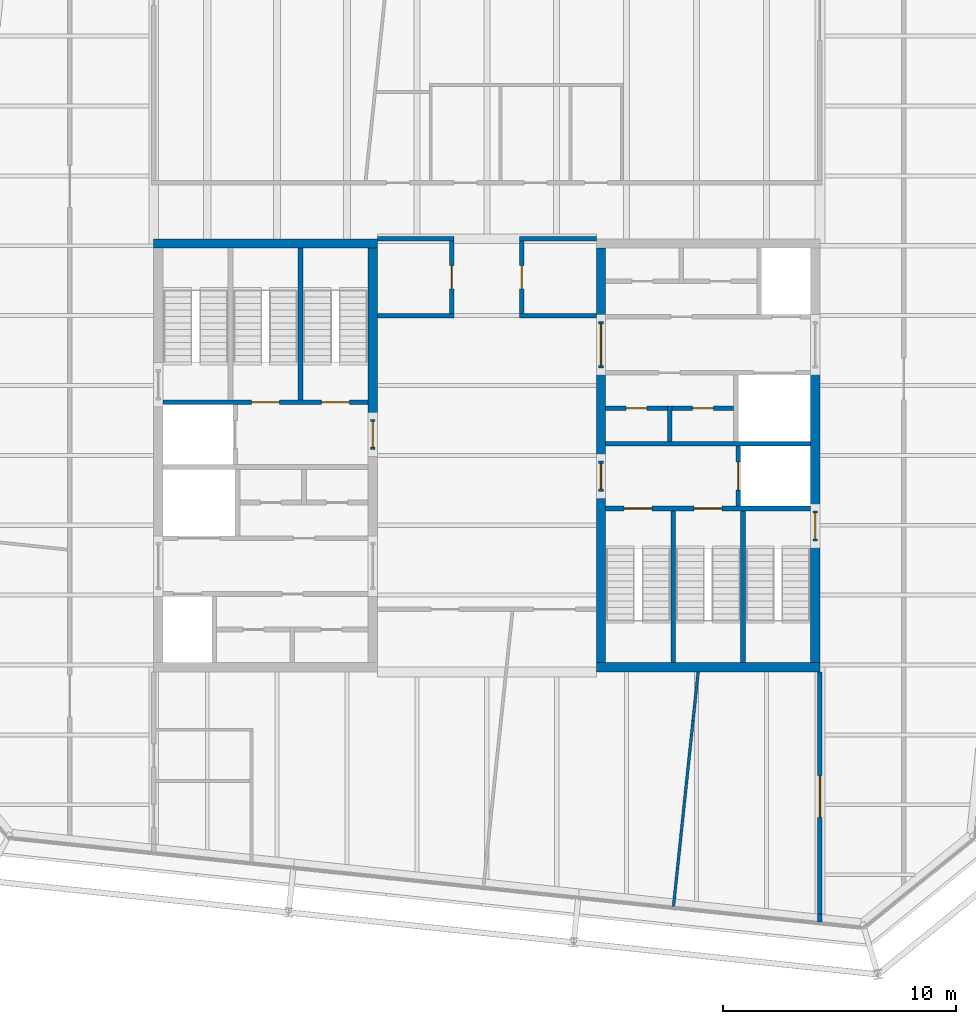
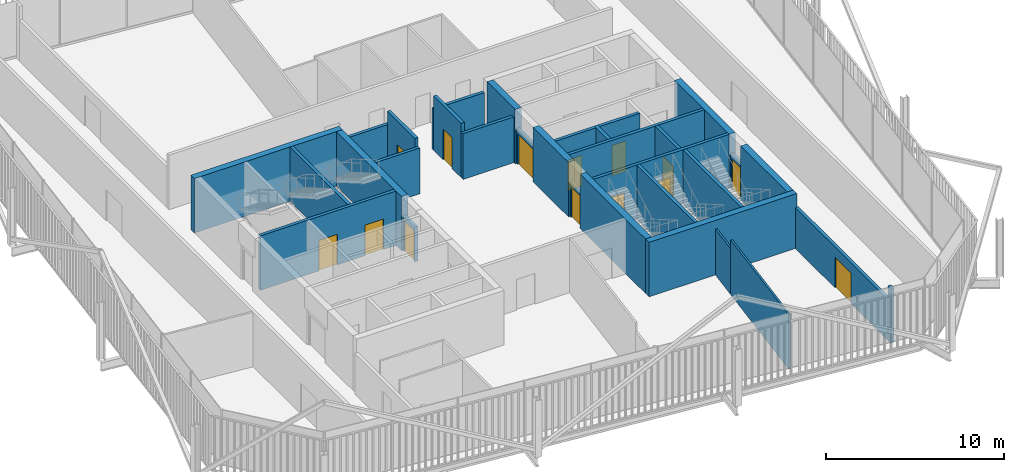
# One storey, part 18 of 21: 31 walls, 14 doors, 14 openings.
"""IFC4 building model written with IfcOpenShell, lengths in metres."""

from ifc_helpers import new_model, si_unit, direction, frame, frame_2d, origin, place, context, subcontext, project, spatial, rectangle, extrude, material, layer, layer_set, type_object, element, fill, save


model = new_model("IFC4")

# Units and contexts
model_context = context("Model", 3, precision=1e-05, world=origin(), true_north=direction((0.0, 1.0)))
body_context = subcontext(model_context, "Body", "Model", "MODEL_VIEW")
ifc_project = project(units=[si_unit("LENGTHUNIT", "METRE"), si_unit("AREAUNIT", "SQUARE_METRE"), si_unit("VOLUMEUNIT", "CUBIC_METRE"), si_unit("PLANEANGLEUNIT", "RADIAN"), si_unit("MASSUNIT", "GRAM", prefix="KILO")], contexts=[model_context])

# Site, building, storey
site_placement = place(None, origin())
site = spatial("IfcSite", under=ifc_project, at=site_placement, CompositionType="ELEMENT")
building_placement = place(site_placement, origin())
building = spatial("IfcBuilding", under=site, at=building_placement, Name="Millrace Tower", CompositionType="ELEMENT")
storey_placement = place(building_placement, frame((0.0, 0.0, 326.5)))
storey = spatial("IfcBuildingStorey", under=building, at=storey_placement, Name="L75", CompositionType="ELEMENT", Elevation=326.5)

# Walls
ifc_material_1 = material(Name="Concrete C60", Category="concrete")
ifc_layer_1 = layer(ifc_material_1, 0.39990234375)
ifc_layer_set_1 = layer_set([ifc_layer_1], Name="Concrete C60")
wall_type_1 = type_object("IfcWallType", Name="Core wall 400 Concrete C60", PredefinedType="SHEAR", material=ifc_layer_set_1)
wall_1_placement = place(storey_placement, frame((-14.300048828125, 9.10009765625, 0.0), z_axis=(0.0, 0.0, 1.0), x_axis=(1.0, 0.0, 0.0)))
element("IfcWall", 1, at=wall_1_placement, inside=storey, type_object=wall_type_1, Name="Core wall W L75", PredefinedType="SHEAR", context=body_context, shape_type="SweptSolid", body=[
    extrude(rectangle(XDim=9.60009765625, YDim=0.39990234375, at=frame_2d((4.800048828125, 0.0))), origin(), (0.0, 0.0, 1.0), 3.739990234375),
])
wall_2_placement = place(storey_placement, frame((-4.89990234375, 1.550048828125, 0.0), z_axis=(0.0, 0.0, 1.0), x_axis=(0.0, 1.0, 0.0)))
element("IfcWall", 2, at=wall_2_placement, inside=storey, type_object=wall_type_1, Name="Core wall W L75", PredefinedType="SHEAR", context=body_context, shape_type="SweptSolid", body=[
    extrude(rectangle(XDim=7.349853515625, YDim=0.39990234375, at=frame_2d((3.6748046875, 0.0))), origin(), (0.0, 0.0, 1.0), 3.739990234375),
])
wall_3_placement = place(storey_placement, frame((14.300048828125, -9.10009765625, 0.0), z_axis=(0.0, 0.0, 1.0), x_axis=(-1.0, 0.0, 0.0)))
element("IfcWall", 3, at=wall_3_placement, inside=storey, type_object=wall_type_1, Name="Core wall E L75", PredefinedType="SHEAR", context=body_context, shape_type="SweptSolid", body=[
    extrude(rectangle(XDim=9.60009765625, YDim=0.39990234375, at=frame_2d((4.800048828125, 0.0))), origin(), (0.0, 0.0, 1.0), 3.739990234375),
])
wall_4_placement = place(storey_placement, frame((14.10009765625, 3.75, 0.0), z_axis=(0.0, 0.0, 1.0), x_axis=(0.0, -1.0, 0.0)))
element("IfcWall", 4, at=wall_4_placement, inside=storey, type_object=wall_type_1, Name="Core wall E L75", PredefinedType="SHEAR", context=body_context, shape_type="SweptSolid", body=[
    extrude(rectangle(XDim=6.1298828125, YDim=0.39990234375, at=frame_2d((3.06494140625, 0.0))), origin(), (0.0, 0.0, 1.0), 3.739990234375),
])
wall_5_placement = place(storey_placement, frame((14.10009765625, -3.679931640625, 0.0), z_axis=(0.0, 0.0, 1.0), x_axis=(0.0, -1.0, 0.0)))
element("IfcWall", 5, at=wall_5_placement, inside=storey, type_object=wall_type_1, Name="Core wall E L75", PredefinedType="SHEAR", context=body_context, shape_type="SweptSolid", body=[
    extrude(rectangle(XDim=5.219970703125, YDim=0.39990234375, at=frame_2d((2.60986328125, 0.0))), origin(), (0.0, 0.0, 1.0), 3.739990234375),
])
wall_6_placement = place(storey_placement, frame((4.89990234375, 8.89990234375, 0.0), z_axis=(0.0, 0.0, 1.0), x_axis=(0.0, -1.0, 0.0)))
element("IfcWall", 6, at=wall_6_placement, inside=storey, type_object=wall_type_1, Name="Core wall E L75", PredefinedType="SHEAR", context=body_context, shape_type="SweptSolid", body=[
    extrude(rectangle(XDim=3.14990234375, YDim=0.39990234375, at=frame_2d((1.574951171875, 0.0))), origin(), (0.0, 0.0, 1.0), 3.739990234375),
])
wall_7_placement = place(storey_placement, frame((4.89990234375, 3.75, 0.0), z_axis=(0.0, 0.0, 1.0), x_axis=(0.0, -1.0, 0.0)))
element("IfcWall", 7, at=wall_7_placement, inside=storey, type_object=wall_type_1, Name="Core wall E L75", PredefinedType="SHEAR", context=body_context, shape_type="SweptSolid", body=[
    extrude(rectangle(XDim=4.0, YDim=0.39990234375, at=frame_2d((2.0, 0.0))), origin(), (0.0, 0.0, 1.0), 3.739990234375),
])
wall_8_placement = place(storey_placement, frame((4.89990234375, -1.550048828125, 0.0), z_axis=(0.0, 0.0, 1.0), x_axis=(0.0, -1.0, 0.0)))
element("IfcWall", 8, at=wall_8_placement, inside=storey, type_object=wall_type_1, Name="Core wall E L75", PredefinedType="SHEAR", context=body_context, shape_type="SweptSolid", body=[
    extrude(rectangle(XDim=7.349853515625, YDim=0.39990234375, at=frame_2d((3.6748046875, 0.0))), origin(), (0.0, 0.0, 1.0), 3.739990234375),
])
ifc_material_2 = material(Name="Masonry partition, fire-rated", Category="masonry")
ifc_layer_2 = layer(ifc_material_2, 0.199951171875)
ifc_layer_set_2 = layer_set([ifc_layer_2], Name="Masonry partition, fire-rated")
wall_type_2 = type_object("IfcWallType", Name="Corridor wall 200", PredefinedType="PARTITIONING", material=ifc_layer_set_2)
for number, where, z_axis, x_axis, name in (
    (9, (-4.699951171875, 6.0, 0.0), (0.0, 0.0, 1.0), (1.0, 0.0, 0.0), "Corridor wall L75"),
    (10, (1.39990234375, 6.0, 0.0), (0.0, 0.0, 1.0), (1.0, 0.0, 0.0), "Corridor wall L75"),
):
    element("IfcWall", number, at=place(storey_placement, frame(where, z_axis=z_axis, x_axis=x_axis)), inside=storey, type_object=wall_type_2, Name=name, PredefinedType="PARTITIONING", context=body_context, shape_type="SweptSolid", body=[
        extrude(rectangle(XDim=3.300048828125, YDim=0.199951171875, at=frame_2d((1.64990234375, 0.0))), origin(), (0.0, 0.0, 1.0), 3.140625),
    ])
for number, where, z_axis, x_axis, name in (
    (11, (-4.699951171875, 9.300048828125, 0.0), (0.0, 0.0, 1.0), (1.0, 0.0, 0.0), "Corridor wall L75"),
    (12, (1.39990234375, 9.300048828125, 0.0), (0.0, 0.0, 1.0), (1.0, 0.0, 0.0), "Corridor wall L75"),
):
    element("IfcWall", number, at=place(storey_placement, frame(where, z_axis=z_axis, x_axis=x_axis)), inside=storey, type_object=wall_type_2, Name=name, PredefinedType="PARTITIONING", context=body_context, shape_type="SweptSolid", body=[
        extrude(rectangle(XDim=3.300048828125, YDim=0.199951171875, at=frame_2d((1.64990234375, 0.0))), origin(), (0.0, 0.0, 1.0), 2.81298828125),
    ])
wall_9_placement = place(storey_placement, frame((14.300048828125, -20.037353515625, 0.0), z_axis=(0.0, 0.0, 1.0), x_axis=(0.0, 1.0, 0.0)))
element("IfcWall", 13, at=wall_9_placement, inside=storey, type_object=wall_type_2, Name="Corridor wall L75", PredefinedType="PARTITIONING", context=body_context, shape_type="SweptSolid", body=[
    extrude(rectangle(XDim=0.339111328125, YDim=0.199951171875, at=frame_2d((0.16943359375, 0.0))), origin(), (0.0, 0.0, 1.0), 3.739990234375),
])

# Wall, opening, door
wall_10_placement = place(storey_placement, frame((14.300048828125, -19.6982421875, 0.0), z_axis=(0.0, 0.0, 1.0), x_axis=(0.0, 1.0, 0.0)))
wall_10 = element("IfcWall", 14, at=wall_10_placement, inside=storey, type_object=wall_type_2, Name="Corridor wall L75", PredefinedType="PARTITIONING", context=body_context, shape_type="SweptSolid", body=[
    extrude(rectangle(XDim=10.398193359375, YDim=0.199951171875, at=frame_2d((5.19921875, 0.0))), origin(), (0.0, 0.0, 1.0), 2.81298828125),
])
opening_1_placement = place(wall_10_placement, frame((4.15478515625, 0.0, 0.0)))
opening_1 = element("IfcOpeningElement", 15, at=opening_1_placement, cuts=wall_10, Name="Opening 75-P013", PredefinedType="OPENING", context=body_context, shape_type="SweptSolid", body=[
    extrude(rectangle(XDim=1.800048828125, YDim=2.10009765625, at=frame_2d((0.89990234375, 1.050048828125))), frame((0.0, 0.10986328125, 0.0), z_axis=(0.0, -1.0, 0.0), x_axis=(1.0, 0.0, 0.0)), (0.0, 0.0, 1.0), 0.219970703125),
])
ifc_material_3 = material(Name="Steel door set, fire-rated", Category="steel")
door_type_1 = type_object("IfcDoorType", Name="Corridor door 1800 x 2100", OperationType="DOUBLE_DOOR_SINGLE_SWING", PredefinedType="DOOR", material=ifc_material_3)
door_1_placement = place(opening_1_placement, origin())
door_1 = element("IfcDoor", 16, at=door_1_placement, inside=storey, type_object=door_type_1, Name="Door 75-P013", OperationType="DOUBLE_DOOR_SINGLE_SWING", OverallHeight=2.10009765625, OverallWidth=1.800048828125, PredefinedType="DOOR", context=body_context, shape_type="SweptSolid", body=[
    extrude(rectangle(XDim=1.800048828125, YDim=2.10009765625, at=frame_2d((0.89990234375, 1.050048828125))), frame((0.0, 0.02490234375, 0.0), z_axis=(0.0, -1.0, 0.0), x_axis=(1.0, 0.0, 0.0)), (0.0, 0.0, 1.0), 0.050048828125),
])
fill(opening_1, door_1)

wall_11_placement = place(storey_placement, frame((1.5, 6.10009765625, 0.0), z_axis=(0.0, 0.0, 1.0), x_axis=(0.0, 1.0, 0.0)))
wall_11 = element("IfcWall", 17, at=wall_11_placement, inside=storey, type_object=wall_type_2, Name="Corridor wall L75", PredefinedType="PARTITIONING", context=body_context, shape_type="SweptSolid", body=[
    extrude(rectangle(XDim=3.099853515625, YDim=0.199951171875, at=frame_2d((1.5498046875, 0.0))), origin(), (0.0, 0.0, 1.0), 3.739990234375),
])
opening_2_placement = place(wall_11_placement, frame((1.050048828125, 0.0, 0.0)))
opening_2 = element("IfcOpeningElement", 18, at=opening_2_placement, cuts=wall_11, Name="Opening 75-P002", PredefinedType="OPENING", context=body_context, shape_type="SweptSolid", body=[
    extrude(rectangle(XDim=1.0, YDim=2.10009765625, at=frame_2d((0.5, 1.050048828125))), frame((0.0, 0.10986328125, 0.0), z_axis=(0.0, -1.0, 0.0), x_axis=(1.0, 0.0, 0.0)), (0.0, 0.0, 1.0), 0.219970703125),
])
ifc_material_4 = material(Name="Steel door set, fire-rated", Category="steel")
door_type_2 = type_object("IfcDoorType", Name="Corridor door 1000 x 2100", OperationType="SINGLE_SWING_LEFT", PredefinedType="DOOR", material=ifc_material_4)
door_2_placement = place(opening_2_placement, frame((1.0, 0.0, 0.0), z_axis=(0.0, 0.0, 1.0), x_axis=(-1.0, 0.0, 0.0)))
door_2 = element("IfcDoor", 19, at=door_2_placement, inside=storey, type_object=door_type_2, Name="Door 75-P002", OperationType="SINGLE_SWING_RIGHT", OverallHeight=2.10009765625, OverallWidth=1.0, PredefinedType="DOOR", context=body_context, shape_type="SweptSolid", body=[
    extrude(rectangle(XDim=1.0, YDim=2.10009765625, at=frame_2d((0.5, 1.050048828125))), frame((0.0, 0.02490234375, 0.0), z_axis=(0.0, -1.0, 0.0), x_axis=(1.0, 0.0, 0.0)), (0.0, 0.0, 1.0), 0.050048828125),
])
fill(opening_2, door_2)

wall_12_placement = place(storey_placement, frame((-1.5, 6.10009765625, 0.0), z_axis=(0.0, 0.0, 1.0), x_axis=(0.0, 1.0, 0.0)))
wall_12 = element("IfcWall", 20, at=wall_12_placement, inside=storey, type_object=wall_type_2, Name="Corridor wall L75", PredefinedType="PARTITIONING", context=body_context, shape_type="SweptSolid", body=[
    extrude(rectangle(XDim=3.099853515625, YDim=0.199951171875, at=frame_2d((1.5498046875, 0.0))), origin(), (0.0, 0.0, 1.0), 3.739990234375),
])
opening_3_placement = place(wall_12_placement, frame((1.050048828125, 0.0, 0.0)))
opening_3 = element("IfcOpeningElement", 21, at=opening_3_placement, cuts=wall_12, Name="Opening 75-P001", PredefinedType="OPENING", context=body_context, shape_type="SweptSolid", body=[
    extrude(rectangle(XDim=1.0, YDim=2.10009765625, at=frame_2d((0.5, 1.050048828125))), frame((0.0, 0.10986328125, 0.0), z_axis=(0.0, -1.0, 0.0), x_axis=(1.0, 0.0, 0.0)), (0.0, 0.0, 1.0), 0.219970703125),
])
door_3_placement = place(opening_3_placement, origin())
door_3 = element("IfcDoor", 22, at=door_3_placement, inside=storey, type_object=door_type_2, Name="Door 75-P001", OperationType="SINGLE_SWING_LEFT", OverallHeight=2.10009765625, OverallWidth=1.0, PredefinedType="DOOR", context=body_context, shape_type="SweptSolid", body=[
    extrude(rectangle(XDim=1.0, YDim=2.10009765625, at=frame_2d((0.5, 1.050048828125))), frame((0.0, 0.02490234375, 0.0), z_axis=(0.0, -1.0, 0.0), x_axis=(1.0, 0.0, 0.0)), (0.0, 0.0, 1.0), 0.050048828125),
])
fill(opening_3, door_3)

# Wall
ifc_material_5 = material(Name="Masonry partition, fire-rated", Category="masonry")
ifc_layer_3 = layer(ifc_material_5, 0.199951171875)
ifc_layer_set_3 = layer_set([ifc_layer_3], Name="Masonry partition, fire-rated")
wall_type_3 = type_object("IfcWallType", Name="Lift shaft wall 200", PredefinedType="PARTITIONING", material=ifc_layer_set_3)
wall_13_placement = place(storey_placement, frame((13.89990234375, 0.5, 0.0), z_axis=(0.0, 0.0, 1.0), x_axis=(-1.0, 0.0, 0.0)))
element("IfcWall", 23, at=wall_13_placement, inside=storey, type_object=wall_type_3, Name="Lift shaft wall E L75", PredefinedType="PARTITIONING", context=body_context, shape_type="SweptSolid", body=[
    extrude(rectangle(XDim=8.7998046875, YDim=0.199951171875, at=frame_2d((4.39990234375, 0.0))), origin(), (0.0, 0.0, 1.0), 3.739990234375),
])

# Wall, opening, door
wall_14_placement = place(storey_placement, frame((10.800048828125, 0.39990234375, 0.0), z_axis=(0.0, 0.0, 1.0), x_axis=(0.0, -1.0, 0.0)))
wall_14 = element("IfcWall", 24, at=wall_14_placement, inside=storey, type_object=wall_type_3, Name="Lift shaft wall E L75", PredefinedType="PARTITIONING", context=body_context, shape_type="SweptSolid", body=[
    extrude(rectangle(XDim=2.579833984375, YDim=0.199951171875, at=frame_2d((1.2900390625, 0.0))), origin(), (0.0, 0.0, 1.0), 3.739990234375),
])
opening_4_placement = place(wall_14_placement, frame((0.68994140625, 0.0, 0.0)))
opening_4 = element("IfcOpeningElement", 25, at=opening_4_placement, cuts=wall_14, Name="Opening 75-LD16", PredefinedType="OPENING", context=body_context, shape_type="SweptSolid", body=[
    extrude(rectangle(XDim=1.199951171875, YDim=2.10009765625, at=frame_2d((0.60009765625, 1.050048828125))), frame((0.0, 0.10986328125, 0.0), z_axis=(0.0, -1.0, 0.0), x_axis=(1.0, 0.0, 0.0)), (0.0, 0.0, 1.0), 0.219970703125),
])
ifc_material_6 = material(Name="Stainless steel, fire-rated", Category="steel")
door_type_3 = type_object("IfcDoorType", Name="Lift landing door 1200 x 2100", OperationType="DOUBLE_DOOR_SLIDING", PredefinedType="DOOR", material=ifc_material_6)
door_4_placement = place(opening_4_placement, origin())
door_4 = element("IfcDoor", 26, at=door_4_placement, inside=storey, type_object=door_type_3, Name="Lift landing door LF16 L75", OperationType="DOUBLE_DOOR_SLIDING", OverallHeight=2.10009765625, OverallWidth=1.199951171875, PredefinedType="DOOR", context=body_context, shape_type="SweptSolid", body=[
    extrude(rectangle(XDim=1.199951171875, YDim=2.10009765625, at=frame_2d((0.60009765625, 1.050048828125))), frame((0.0, 0.02490234375, 0.0), z_axis=(0.0, -1.0, 0.0), x_axis=(1.0, 0.0, 0.0)), (0.0, 0.0, 1.0), 0.050048828125),
])
fill(opening_4, door_4)

ifc_material_7 = material(Name="Masonry partition, fire-rated", Category="masonry")
ifc_layer_4 = layer(ifc_material_7, 0.199951171875)
ifc_layer_set_4 = layer_set([ifc_layer_4], Name="Masonry partition, fire-rated")
wall_type_4 = type_object("IfcWallType", Name="Lobby wall 200", PredefinedType="PARTITIONING", material=ifc_layer_set_4)
wall_15_placement = place(storey_placement, frame((-4.89990234375, 0.25, 0.0), z_axis=(0.0, 0.0, 1.0), x_axis=(0.0, 1.0, 0.0)))
wall_15 = element("IfcWall", 27, at=wall_15_placement, inside=storey, type_object=wall_type_4, Name="Lobby wall W L75", PredefinedType="PARTITIONING", context=body_context, shape_type="SweptSolid", body=[
    extrude(rectangle(XDim=1.300048828125, YDim=0.199951171875, at=frame_2d((0.64990234375, 0.0))), origin(), (0.0, 0.0, 1.0), 2.39990234375),
])
opening_5_placement = place(wall_15_placement, frame((0.10009765625, 0.0, 0.0)))
opening_5 = element("IfcOpeningElement", 28, at=opening_5_placement, cuts=wall_15, Name="Opening 75-C004", PredefinedType="OPENING", context=body_context, shape_type="SweptSolid", body=[
    extrude(rectangle(XDim=1.10009765625, YDim=2.10009765625, at=frame_2d((0.550048828125, 1.050048828125))), frame((0.0, 0.10986328125, 0.0), z_axis=(0.0, -1.0, 0.0), x_axis=(1.0, 0.0, 0.0)), (0.0, 0.0, 1.0), 0.219970703125),
])
ifc_material_8 = material(Name="Steel door, fire-rated", Category="steel")
door_type_4 = type_object("IfcDoorType", Name="Lobby door 1100 x 2100", OperationType="SINGLE_SWING_LEFT", PredefinedType="DOOR", material=ifc_material_8)
door_5_placement = place(opening_5_placement, frame((1.10009765625, 0.0, 0.0), z_axis=(0.0, 0.0, 1.0), x_axis=(-1.0, 0.0, 0.0)))
door_5 = element("IfcDoor", 29, at=door_5_placement, inside=storey, type_object=door_type_4, Name="Lobby door 75-C004", OperationType="SINGLE_SWING_LEFT", OverallHeight=2.10009765625, OverallWidth=1.10009765625, PredefinedType="DOOR", context=body_context, shape_type="SweptSolid", body=[
    extrude(rectangle(XDim=1.10009765625, YDim=2.10009765625, at=frame_2d((0.550048828125, 1.050048828125))), frame((0.0, 0.02490234375, 0.0), z_axis=(0.0, -1.0, 0.0), x_axis=(1.0, 0.0, 0.0)), (0.0, 0.0, 1.0), 0.050048828125),
])
fill(opening_5, door_5)

wall_16_placement = place(storey_placement, frame((4.89990234375, 5.75, 0.0), z_axis=(0.0, 0.0, 1.0), x_axis=(0.0, -1.0, 0.0)))
wall_16 = element("IfcWall", 30, at=wall_16_placement, inside=storey, type_object=wall_type_4, Name="Lobby wall E L75", PredefinedType="PARTITIONING", context=body_context, shape_type="SweptSolid", body=[
    extrude(rectangle(XDim=2.0, YDim=0.199951171875, at=frame_2d((1.0, 0.0))), origin(), (0.0, 0.0, 1.0), 2.39990234375),
])
opening_6_placement = place(wall_16_placement, frame((0.10009765625, 0.0, 0.0)))
opening_6 = element("IfcOpeningElement", 31, at=opening_6_placement, cuts=wall_16, Name="Opening 75-C015", PredefinedType="OPENING", context=body_context, shape_type="SweptSolid", body=[
    extrude(rectangle(XDim=1.800048828125, YDim=2.10009765625, at=frame_2d((0.89990234375, 1.050048828125))), frame((0.0, 0.10986328125, 0.0), z_axis=(0.0, -1.0, 0.0), x_axis=(1.0, 0.0, 0.0)), (0.0, 0.0, 1.0), 0.219970703125),
])
ifc_material_9 = material(Name="Steel door, fire-rated", Category="steel")
door_type_5 = type_object("IfcDoorType", Name="Lobby door 1800 x 2100", OperationType="DOUBLE_DOOR_SINGLE_SWING", PredefinedType="DOOR", material=ifc_material_9)
door_6_placement = place(opening_6_placement, frame((1.800048828125, 0.0, 0.0), z_axis=(0.0, 0.0, 1.0), x_axis=(-1.0, 0.0, 0.0)))
door_6 = element("IfcDoor", 32, at=door_6_placement, inside=storey, type_object=door_type_5, Name="Lobby door 75-C015", OperationType="DOUBLE_DOOR_SINGLE_SWING", OverallHeight=2.10009765625, OverallWidth=1.800048828125, PredefinedType="DOOR", context=body_context, shape_type="SweptSolid", body=[
    extrude(rectangle(XDim=1.800048828125, YDim=2.10009765625, at=frame_2d((0.89990234375, 1.050048828125))), frame((0.0, 0.02490234375, 0.0), z_axis=(0.0, -1.0, 0.0), x_axis=(1.0, 0.0, 0.0)), (0.0, 0.0, 1.0), 0.050048828125),
])
fill(opening_6, door_6)

wall_17_placement = place(storey_placement, frame((4.89990234375, -0.25, 0.0), z_axis=(0.0, 0.0, 1.0), x_axis=(0.0, -1.0, 0.0)))
wall_17 = element("IfcWall", 33, at=wall_17_placement, inside=storey, type_object=wall_type_4, Name="Lobby wall E L75", PredefinedType="PARTITIONING", context=body_context, shape_type="SweptSolid", body=[
    extrude(rectangle(XDim=1.300048828125, YDim=0.199951171875, at=frame_2d((0.64990234375, 0.0))), origin(), (0.0, 0.0, 1.0), 2.39990234375),
])
opening_7_placement = place(wall_17_placement, frame((0.10009765625, 0.0, 0.0)))
opening_7 = element("IfcOpeningElement", 34, at=opening_7_placement, cuts=wall_17, Name="Opening 75-C016", PredefinedType="OPENING", context=body_context, shape_type="SweptSolid", body=[
    extrude(rectangle(XDim=1.10009765625, YDim=2.10009765625, at=frame_2d((0.550048828125, 1.050048828125))), frame((0.0, 0.10986328125, 0.0), z_axis=(0.0, -1.0, 0.0), x_axis=(1.0, 0.0, 0.0)), (0.0, 0.0, 1.0), 0.219970703125),
])
door_7_placement = place(opening_7_placement, frame((1.10009765625, 0.0, 0.0), z_axis=(0.0, 0.0, 1.0), x_axis=(-1.0, 0.0, 0.0)))
door_7 = element("IfcDoor", 35, at=door_7_placement, inside=storey, type_object=door_type_4, Name="Lobby door 75-C016", OperationType="SINGLE_SWING_RIGHT", OverallHeight=2.10009765625, OverallWidth=1.10009765625, PredefinedType="DOOR", context=body_context, shape_type="SweptSolid", body=[
    extrude(rectangle(XDim=1.10009765625, YDim=2.10009765625, at=frame_2d((0.550048828125, 1.050048828125))), frame((0.0, 0.02490234375, 0.0), z_axis=(0.0, -1.0, 0.0), x_axis=(1.0, 0.0, 0.0)), (0.0, 0.0, 1.0), 0.050048828125),
])
fill(opening_7, door_7)

# Walls
ifc_material_10 = material(Name="Gypsum board partition")
ifc_layer_5 = layer(ifc_material_10, 0.1201171875)
ifc_layer_set_5 = layer_set([ifc_layer_5], Name="Gypsum board partition")
wall_type_5 = type_object("IfcWallType", Name="Partition wall 120", PredefinedType="PARTITIONING", material=ifc_layer_set_5)
wall_18_placement = place(storey_placement, frame((8.0126953125, -19.376708984375, 0.0), z_axis=(0.0, 0.0, 1.0), x_axis=(0.104553276341, 0.994519287096, 0.0)))
element("IfcWall", 36, at=wall_18_placement, inside=storey, type_object=wall_type_5, Name="Partition wall L75", PredefinedType="PARTITIONING", context=body_context, shape_type="SweptSolid", body=[
    extrude(rectangle(XDim=8.02099609375, YDim=0.1201171875, at=frame_2d((4.010498046875, 0.0))), origin(), (0.0, 0.0, 1.0), 3.739990234375),
])
wall_19_placement = place(storey_placement, frame((8.851318359375, -11.399658203125, 0.0), z_axis=(0.0, 0.0, 1.0), x_axis=(0.1045403102, 0.994520650134, 0.0)))
element("IfcWall", 37, at=wall_19_placement, inside=storey, type_object=wall_type_5, Name="Partition wall L75", PredefinedType="PARTITIONING", context=body_context, shape_type="SweptSolid", body=[
    extrude(rectangle(XDim=2.111083984375, YDim=0.1201171875, at=frame_2d((1.0556640625, 0.0))), origin(), (0.0, 0.0, 1.0), 3.140625),
])

# Wall, openings, doors
ifc_material_11 = material(Name="Masonry partition, fire-rated", Category="masonry")
ifc_layer_6 = layer(ifc_material_11, 0.199951171875)
ifc_layer_set_6 = layer_set([ifc_layer_6], Name="Masonry partition, fire-rated")
wall_type_6 = type_object("IfcWallType", Name="Room partition 200", PredefinedType="PARTITIONING", material=ifc_layer_set_6)
wall_20_placement = place(storey_placement, frame((10.60009765625, 2.02490234375, 0.0), z_axis=(0.0, 0.0, 1.0), x_axis=(-1.0, 0.0, 0.0)))
wall_20 = element("IfcWall", 38, at=wall_20_placement, inside=storey, type_object=wall_type_6, Name="Room partition E L75", PredefinedType="PARTITIONING", context=body_context, shape_type="SweptSolid", body=[
    extrude(rectangle(XDim=5.5, YDim=0.199951171875, at=frame_2d((2.75, 0.0))), origin(), (0.0, 0.0, 1.0), 3.739990234375),
])
opening_8_placement = place(wall_20_placement, frame((0.875, 0.0, 0.0)))
opening_8 = element("IfcOpeningElement", 39, at=opening_8_placement, cuts=wall_20, Name="Opening 75-C021", PredefinedType="OPENING", context=body_context, shape_type="SweptSolid", body=[
    extrude(rectangle(XDim=0.89990234375, YDim=2.10009765625, at=frame_2d((0.449951171875, 1.050048828125))), frame((0.0, 0.10986328125, 0.0), z_axis=(0.0, -1.0, 0.0), x_axis=(1.0, 0.0, 0.0)), (0.0, 0.0, 1.0), 0.219970703125),
])
opening_9_placement = place(wall_20_placement, frame((3.72509765625, 0.0, 0.0)))
opening_9 = element("IfcOpeningElement", 40, at=opening_9_placement, cuts=wall_20, Name="Opening 75-C022", PredefinedType="OPENING", context=body_context, shape_type="SweptSolid", body=[
    extrude(rectangle(XDim=0.89990234375, YDim=2.10009765625, at=frame_2d((0.449951171875, 1.050048828125))), frame((0.0, 0.10986328125, 0.0), z_axis=(0.0, -1.0, 0.0), x_axis=(1.0, 0.0, 0.0)), (0.0, 0.0, 1.0), 0.219970703125),
])
ifc_material_12 = material(Name="Steel door, fire-rated", Category="steel")
door_type_6 = type_object("IfcDoorType", Name="Service room door 900 x 2100", OperationType="SINGLE_SWING_LEFT", PredefinedType="DOOR", material=ifc_material_12)
door_8_placement = place(opening_8_placement, origin())
door_8 = element("IfcDoor", 41, at=door_8_placement, inside=storey, type_object=door_type_6, Name="Service room door 75-C021", OperationType="SINGLE_SWING_LEFT", OverallHeight=2.10009765625, OverallWidth=0.89990234375, PredefinedType="DOOR", context=body_context, shape_type="SweptSolid", body=[
    extrude(rectangle(XDim=0.89990234375, YDim=2.10009765625, at=frame_2d((0.449951171875, 1.050048828125))), frame((0.0, 0.02490234375, 0.0), z_axis=(0.0, -1.0, 0.0), x_axis=(1.0, 0.0, 0.0)), (0.0, 0.0, 1.0), 0.050048828125),
])
fill(opening_8, door_8)
door_9_placement = place(opening_9_placement, origin())
door_9 = element("IfcDoor", 42, at=door_9_placement, inside=storey, type_object=door_type_6, Name="Service room door 75-C022", OperationType="SINGLE_SWING_RIGHT", OverallHeight=2.10009765625, OverallWidth=0.89990234375, PredefinedType="DOOR", context=body_context, shape_type="SweptSolid", body=[
    extrude(rectangle(XDim=0.89990234375, YDim=2.10009765625, at=frame_2d((0.449951171875, 1.050048828125))), frame((0.0, 0.02490234375, 0.0), z_axis=(0.0, -1.0, 0.0), x_axis=(1.0, 0.0, 0.0)), (0.0, 0.0, 1.0), 0.050048828125),
])
fill(opening_9, door_9)

# Wall
wall_21_placement = place(storey_placement, frame((7.85009765625, 2.125, 0.0), z_axis=(0.0, 0.0, 1.0), x_axis=(0.0, -1.0, 0.0)))
element("IfcWall", 43, at=wall_21_placement, inside=storey, type_object=wall_type_6, Name="Room partition E L75", PredefinedType="PARTITIONING", context=body_context, shape_type="SweptSolid", body=[
    extrude(rectangle(XDim=1.52490234375, YDim=0.199951171875, at=frame_2d((0.762451171875, 0.0))), origin(), (0.0, 0.0, 1.0), 3.739990234375),
])

# Wall, openings, doors
ifc_material_13 = material(Name="Concrete C40", Category="concrete")
ifc_layer_7 = layer(ifc_material_13, 0.199951171875)
ifc_layer_set_7 = layer_set([ifc_layer_7], Name="Concrete C40")
wall_type_7 = type_object("IfcWallType", Name="Stair enclosure wall 200 Concrete C40", PredefinedType="SHEAR", material=ifc_layer_set_7)
wall_22_placement = place(storey_placement, frame((-13.89990234375, 2.280029296875, 0.0), z_axis=(0.0, 0.0, 1.0), x_axis=(1.0, 0.0, 0.0)))
wall_22 = element("IfcWall", 44, at=wall_22_placement, inside=storey, type_object=wall_type_7, Name="Stair enclosure wall W L75", PredefinedType="SHEAR", context=body_context, shape_type="SweptSolid", body=[
    extrude(rectangle(XDim=8.7998046875, YDim=0.199951171875, at=frame_2d((4.39990234375, 0.0))), origin(), (0.0, 0.0, 1.0), 3.739990234375),
])
opening_10_placement = place(wall_22_placement, frame((3.800048828125, 0.0, 0.0)))
opening_10 = element("IfcOpeningElement", 45, at=opening_10_placement, cuts=wall_22, Name="Opening 75-C011", PredefinedType="OPENING", context=body_context, shape_type="SweptSolid", body=[
    extrude(rectangle(XDim=1.199951171875, YDim=2.10009765625, at=frame_2d((0.60009765625, 1.050048828125))), frame((0.0, 0.10986328125, 0.0), z_axis=(0.0, -1.0, 0.0), x_axis=(1.0, 0.0, 0.0)), (0.0, 0.0, 1.0), 0.219970703125),
])
opening_11_placement = place(wall_22_placement, frame((6.800048828125, 0.0, 0.0)))
opening_11 = element("IfcOpeningElement", 46, at=opening_11_placement, cuts=wall_22, Name="Opening 75-C012", PredefinedType="OPENING", context=body_context, shape_type="SweptSolid", body=[
    extrude(rectangle(XDim=1.199951171875, YDim=2.10009765625, at=frame_2d((0.60009765625, 1.050048828125))), frame((0.0, 0.10986328125, 0.0), z_axis=(0.0, -1.0, 0.0), x_axis=(1.0, 0.0, 0.0)), (0.0, 0.0, 1.0), 0.219970703125),
])
ifc_material_14 = material(Name="Steel door, fire-rated", Category="steel")
door_type_7 = type_object("IfcDoorType", Name="Stair door 1200 x 2100", OperationType="SINGLE_SWING_LEFT", PredefinedType="DOOR", material=ifc_material_14)
door_10_placement = place(opening_10_placement, frame((1.199951171875, 0.0, 0.0), z_axis=(0.0, 0.0, 1.0), x_axis=(-1.0, 0.0, 0.0)))
door_10 = element("IfcDoor", 47, at=door_10_placement, inside=storey, type_object=door_type_7, Name="Stair door 75-C011", OperationType="SINGLE_SWING_RIGHT", OverallHeight=2.10009765625, OverallWidth=1.199951171875, PredefinedType="DOOR", context=body_context, shape_type="SweptSolid", body=[
    extrude(rectangle(XDim=1.199951171875, YDim=2.10009765625, at=frame_2d((0.60009765625, 1.050048828125))), frame((0.0, 0.02490234375, 0.0), z_axis=(0.0, -1.0, 0.0), x_axis=(1.0, 0.0, 0.0)), (0.0, 0.0, 1.0), 0.050048828125),
])
fill(opening_10, door_10)
door_11_placement = place(opening_11_placement, frame((1.199951171875, 0.0, 0.0), z_axis=(0.0, 0.0, 1.0), x_axis=(-1.0, 0.0, 0.0)))
door_11 = element("IfcDoor", 48, at=door_11_placement, inside=storey, type_object=door_type_7, Name="Stair door 75-C012", OperationType="SINGLE_SWING_LEFT", OverallHeight=2.10009765625, OverallWidth=1.199951171875, PredefinedType="DOOR", context=body_context, shape_type="SweptSolid", body=[
    extrude(rectangle(XDim=1.199951171875, YDim=2.10009765625, at=frame_2d((0.60009765625, 1.050048828125))), frame((0.0, 0.02490234375, 0.0), z_axis=(0.0, -1.0, 0.0), x_axis=(1.0, 0.0, 0.0)), (0.0, 0.0, 1.0), 0.050048828125),
])
fill(opening_11, door_11)

# Wall
wall_23_placement = place(storey_placement, frame((-8.0, 2.3798828125, 0.0), z_axis=(0.0, 0.0, 1.0), x_axis=(0.0, 1.0, 0.0)))
element("IfcWall", 49, at=wall_23_placement, inside=storey, type_object=wall_type_7, Name="Stair enclosure wall W L75", PredefinedType="SHEAR", context=body_context, shape_type="SweptSolid", body=[
    extrude(rectangle(XDim=6.52001953125, YDim=0.199951171875, at=frame_2d((3.260009765625, 0.0))), origin(), (0.0, 0.0, 1.0), 3.739990234375),
])

# Wall, opening, door
wall_24_placement = place(storey_placement, frame((14.10009765625, -2.3798828125, 0.0), z_axis=(0.0, 0.0, 1.0), x_axis=(0.0, -1.0, 0.0)))
wall_24 = element("IfcWall", 50, at=wall_24_placement, inside=storey, type_object=wall_type_7, Name="Stair enclosure wall E L75", PredefinedType="SHEAR", context=body_context, shape_type="SweptSolid", body=[
    extrude(rectangle(XDim=1.300048828125, YDim=0.199951171875, at=frame_2d((0.64990234375, 0.0))), origin(), (0.0, 0.0, 1.0), 2.39990234375),
])
opening_12_placement = place(wall_24_placement, frame((0.10009765625, 0.0, 0.0)))
opening_12 = element("IfcOpeningElement", 51, at=opening_12_placement, cuts=wall_24, Name="Opening 75-C014", PredefinedType="OPENING", context=body_context, shape_type="SweptSolid", body=[
    extrude(rectangle(XDim=1.10009765625, YDim=2.10009765625, at=frame_2d((0.550048828125, 1.050048828125))), frame((0.0, 0.10986328125, 0.0), z_axis=(0.0, -1.0, 0.0), x_axis=(1.0, 0.0, 0.0)), (0.0, 0.0, 1.0), 0.219970703125),
])
ifc_material_15 = material(Name="Steel door, fire-rated", Category="steel")
door_type_8 = type_object("IfcDoorType", Name="Stair door 1100 x 2100", OperationType="SINGLE_SWING_LEFT", PredefinedType="DOOR", material=ifc_material_15)
door_12_placement = place(opening_12_placement, origin())
door_12 = element("IfcDoor", 52, at=door_12_placement, inside=storey, type_object=door_type_8, Name="Stair door 75-C014", OperationType="SINGLE_SWING_LEFT", OverallHeight=2.10009765625, OverallWidth=1.10009765625, PredefinedType="DOOR", context=body_context, shape_type="SweptSolid", body=[
    extrude(rectangle(XDim=1.10009765625, YDim=2.10009765625, at=frame_2d((0.550048828125, 1.050048828125))), frame((0.0, 0.02490234375, 0.0), z_axis=(0.0, -1.0, 0.0), x_axis=(1.0, 0.0, 0.0)), (0.0, 0.0, 1.0), 0.050048828125),
])
fill(opening_12, door_12)

# Wall, openings, doors
wall_25_placement = place(storey_placement, frame((13.89990234375, -2.280029296875, 0.0), z_axis=(0.0, 0.0, 1.0), x_axis=(-1.0, 0.0, 0.0)))
wall_25 = element("IfcWall", 53, at=wall_25_placement, inside=storey, type_object=wall_type_7, Name="Stair enclosure wall E L75", PredefinedType="SHEAR", context=body_context, shape_type="SweptSolid", body=[
    extrude(rectangle(XDim=8.7998046875, YDim=0.199951171875, at=frame_2d((4.39990234375, 0.0))), origin(), (0.0, 0.0, 1.0), 3.739990234375),
])
opening_13_placement = place(wall_25_placement, frame((3.800048828125, 0.0, 0.0)))
opening_13 = element("IfcOpeningElement", 54, at=opening_13_placement, cuts=wall_25, Name="Opening 75-C023", PredefinedType="OPENING", context=body_context, shape_type="SweptSolid", body=[
    extrude(rectangle(XDim=1.199951171875, YDim=2.10009765625, at=frame_2d((0.60009765625, 1.050048828125))), frame((0.0, 0.10986328125, 0.0), z_axis=(0.0, -1.0, 0.0), x_axis=(1.0, 0.0, 0.0)), (0.0, 0.0, 1.0), 0.219970703125),
])
opening_14_placement = place(wall_25_placement, frame((6.800048828125, 0.0, 0.0)))
opening_14 = element("IfcOpeningElement", 55, at=opening_14_placement, cuts=wall_25, Name="Opening 75-C024", PredefinedType="OPENING", context=body_context, shape_type="SweptSolid", body=[
    extrude(rectangle(XDim=1.199951171875, YDim=2.10009765625, at=frame_2d((0.60009765625, 1.050048828125))), frame((0.0, 0.10986328125, 0.0), z_axis=(0.0, -1.0, 0.0), x_axis=(1.0, 0.0, 0.0)), (0.0, 0.0, 1.0), 0.219970703125),
])
door_13_placement = place(opening_13_placement, frame((1.199951171875, 0.0, 0.0), z_axis=(0.0, 0.0, 1.0), x_axis=(-1.0, 0.0, 0.0)))
door_13 = element("IfcDoor", 56, at=door_13_placement, inside=storey, type_object=door_type_7, Name="Stair door 75-C023", OperationType="SINGLE_SWING_RIGHT", OverallHeight=2.10009765625, OverallWidth=1.199951171875, PredefinedType="DOOR", context=body_context, shape_type="SweptSolid", body=[
    extrude(rectangle(XDim=1.199951171875, YDim=2.10009765625, at=frame_2d((0.60009765625, 1.050048828125))), frame((0.0, 0.02490234375, 0.0), z_axis=(0.0, -1.0, 0.0), x_axis=(1.0, 0.0, 0.0)), (0.0, 0.0, 1.0), 0.050048828125),
])
fill(opening_13, door_13)
door_14_placement = place(opening_14_placement, frame((1.199951171875, 0.0, 0.0), z_axis=(0.0, 0.0, 1.0), x_axis=(-1.0, 0.0, 0.0)))
door_14 = element("IfcDoor", 57, at=door_14_placement, inside=storey, type_object=door_type_7, Name="Stair door 75-C024", OperationType="SINGLE_SWING_LEFT", OverallHeight=2.10009765625, OverallWidth=1.199951171875, PredefinedType="DOOR", context=body_context, shape_type="SweptSolid", body=[
    extrude(rectangle(XDim=1.199951171875, YDim=2.10009765625, at=frame_2d((0.60009765625, 1.050048828125))), frame((0.0, 0.02490234375, 0.0), z_axis=(0.0, -1.0, 0.0), x_axis=(1.0, 0.0, 0.0)), (0.0, 0.0, 1.0), 0.050048828125),
])
fill(opening_14, door_14)

# Walls
for number, where, z_axis, x_axis, name in (
    (58, (11.0, -2.3798828125, 0.0), (0.0, 0.0, 1.0), (0.0, -1.0, 0.0), "Stair enclosure wall E L75"),
    (59, (8.0, -2.3798828125, 0.0), (0.0, 0.0, 1.0), (0.0, -1.0, 0.0), "Stair enclosure wall E L75"),
):
    element("IfcWall", number, at=place(storey_placement, frame(where, z_axis=z_axis, x_axis=x_axis)), inside=storey, type_object=wall_type_7, Name=name, PredefinedType="SHEAR", context=body_context, shape_type="SweptSolid", body=[
        extrude(rectangle(XDim=6.52001953125, YDim=0.199951171875, at=frame_2d((3.260009765625, 0.0))), origin(), (0.0, 0.0, 1.0), 3.739990234375),
    ])

save(model, "model.ifc")
